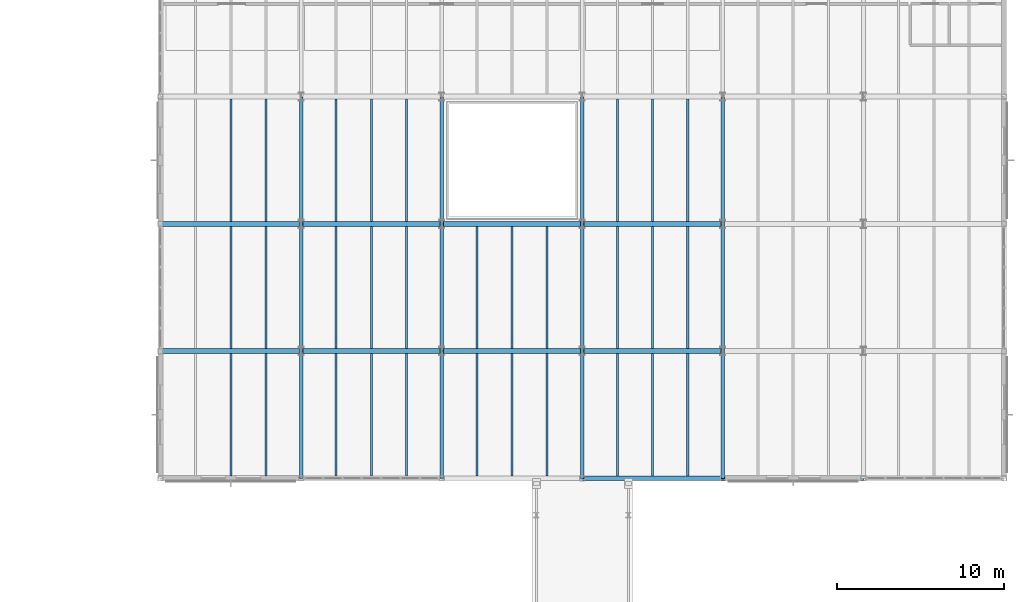
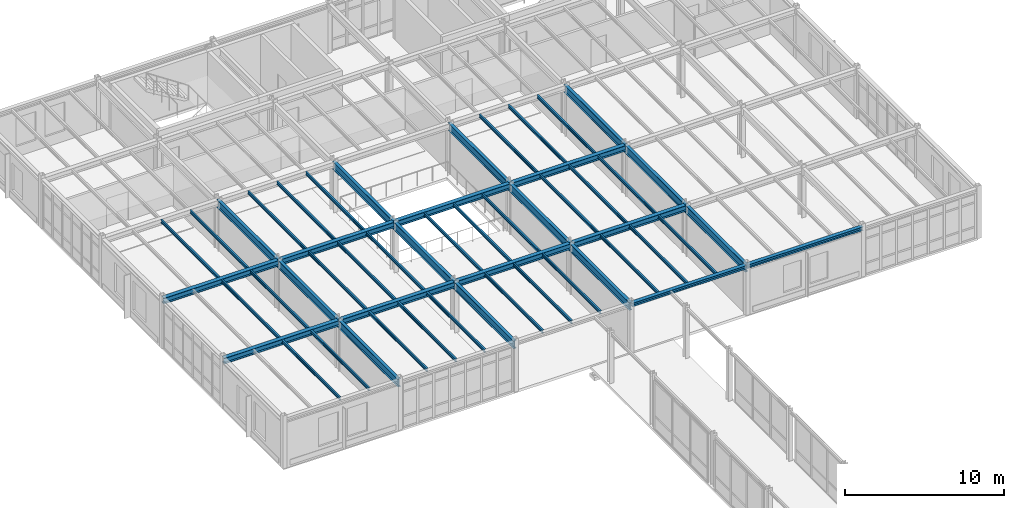
# One storey, part 87 of 165: 52 beams.
"""IFC4 building model written with IfcOpenShell, lengths in metres."""

from ifc_helpers import new_model, si_unit, direction, frame, origin, origin_2d, place, context, subcontext, project, spatial, i_section, extrude, material, material_profile, profile_set, type_object, element, save


model = new_model("IFC4")

# Units and contexts
model_context = context("Model", 3, precision=1e-05, world=origin(), true_north=direction((0.0, 1.0)))
body_context = subcontext(model_context, "Body", "Model", "MODEL_VIEW")
ifc_project = project(units=[si_unit("LENGTHUNIT", "METRE"), si_unit("AREAUNIT", "SQUARE_METRE"), si_unit("VOLUMEUNIT", "CUBIC_METRE"), si_unit("PLANEANGLEUNIT", "RADIAN"), si_unit("MASSUNIT", "GRAM", prefix="KILO")], contexts=[model_context])

# Site, building, storey
site_placement = place(None, origin())
site = spatial("IfcSite", under=ifc_project, at=site_placement, CompositionType="ELEMENT")
building_placement = place(site_placement, origin())
building = spatial("IfcBuilding", under=site, at=building_placement, Name="Montecoro Central Library", CompositionType="ELEMENT")
storey_placement = place(building_placement, frame((0.0, 0.0, 5.10009765625)))
storey = spatial("IfcBuildingStorey", under=building, at=storey_placement, Name="L01", CompositionType="ELEMENT", Elevation=5.10009765625)

# Beams
ifc_material_1 = material(Name="Steel S355J2", Category="steel")
ifc_material_profile_1 = material_profile(ifc_material_1, i_section(OverallWidth=0.300048828125, OverallDepth=0.43994140625, WebThickness=0.011474609375, FlangeThickness=0.02099609375, at=origin_2d()), Name="HEA 450")
ifc_profile_set_1 = profile_set([ifc_material_profile_1], Name="Steel S355J2")
beam_type_1 = type_object("IfcBeamType", Name="BM-G-HEA450", PredefinedType="USERDEFINED", material=ifc_profile_set_1)
beam_1_placement = place(storey_placement, frame((66.405029296875, 88.60009765625, 3.60498046875), z_axis=(1.0, 0.0, 0.0), x_axis=(0.0, 1.0, 0.0)))
element("IfcBeam", 1, at=beam_1_placement, inside=storey, type_object=beam_type_1, Name="V2-L01-BX-910-M", ObjectType="GIRDER", PredefinedType="USERDEFINED", context=body_context, shape_type="SweptSolid", body=[
    extrude(i_section(OverallWidth=0.300048828125, OverallDepth=0.43994140625, WebThickness=0.011474609375, FlangeThickness=0.02099609375, at=origin_2d()), origin(), (0.0, 0.0, 1.0), 8.389892578125),
])
beam_2_placement = place(storey_placement, frame((74.804931640625, 88.60009765625, 3.60498046875), z_axis=(1.0, 0.0, 0.0), x_axis=(0.0, 1.0, 0.0)))
element("IfcBeam", 2, at=beam_2_placement, inside=storey, type_object=beam_type_1, Name="V2-L01-BX-1011-M", ObjectType="GIRDER", PredefinedType="USERDEFINED", context=body_context, shape_type="SweptSolid", body=[
    extrude(i_section(OverallWidth=0.300048828125, OverallDepth=0.43994140625, WebThickness=0.011474609375, FlangeThickness=0.02099609375, at=origin_2d()), origin(), (0.0, 0.0, 1.0), 8.39013671875),
])
beam_3_placement = place(storey_placement, frame((83.205078125, 88.60009765625, 3.60498046875), z_axis=(1.0, 0.0, 0.0), x_axis=(0.0, 1.0, 0.0)))
element("IfcBeam", 3, at=beam_3_placement, inside=storey, type_object=beam_type_1, Name="V2-L01-BX-1112-M", ObjectType="GIRDER", PredefinedType="USERDEFINED", context=body_context, shape_type="SweptSolid", body=[
    extrude(i_section(OverallWidth=0.300048828125, OverallDepth=0.43994140625, WebThickness=0.011474609375, FlangeThickness=0.02099609375, at=origin_2d()), origin(), (0.0, 0.0, 1.0), 8.389892578125),
])
beam_4_placement = place(storey_placement, frame((91.60498046875, 88.60009765625, 3.60498046875), z_axis=(1.0, 0.0, 0.0), x_axis=(0.0, 1.0, 0.0)))
element("IfcBeam", 4, at=beam_4_placement, inside=storey, type_object=beam_type_1, Name="V2-L01-BX-1213-M", ObjectType="GIRDER", PredefinedType="USERDEFINED", context=body_context, shape_type="SweptSolid", body=[
    extrude(i_section(OverallWidth=0.300048828125, OverallDepth=0.43994140625, WebThickness=0.011474609375, FlangeThickness=0.02099609375, at=origin_2d()), origin(), (0.0, 0.0, 1.0), 8.39013671875),
])
beam_5_placement = place(storey_placement, frame((66.405029296875, 96.199951171875, 3.60498046875), z_axis=(1.0, 0.0, 0.0), x_axis=(0.0, 1.0, 0.0)))
element("IfcBeam", 5, at=beam_5_placement, inside=storey, type_object=beam_type_1, Name="V2-L01-BX-910-N", ObjectType="GIRDER", PredefinedType="USERDEFINED", context=body_context, shape_type="SweptSolid", body=[
    extrude(i_section(OverallWidth=0.300048828125, OverallDepth=0.43994140625, WebThickness=0.011474609375, FlangeThickness=0.02099609375, at=origin_2d()), origin(), (0.0, 0.0, 1.0), 8.389892578125),
])
beam_6_placement = place(storey_placement, frame((74.804931640625, 96.199951171875, 3.60498046875), z_axis=(1.0, 0.0, 0.0), x_axis=(0.0, 1.0, 0.0)))
element("IfcBeam", 6, at=beam_6_placement, inside=storey, type_object=beam_type_1, Name="V2-L01-BX-1011-N", ObjectType="GIRDER", PredefinedType="USERDEFINED", context=body_context, shape_type="SweptSolid", body=[
    extrude(i_section(OverallWidth=0.300048828125, OverallDepth=0.43994140625, WebThickness=0.011474609375, FlangeThickness=0.02099609375, at=origin_2d()), origin(), (0.0, 0.0, 1.0), 8.39013671875),
])
beam_7_placement = place(storey_placement, frame((83.205078125, 96.199951171875, 3.60498046875), z_axis=(1.0, 0.0, 0.0), x_axis=(0.0, 1.0, 0.0)))
element("IfcBeam", 7, at=beam_7_placement, inside=storey, type_object=beam_type_1, Name="V2-L01-BX-1112-N", ObjectType="GIRDER", PredefinedType="USERDEFINED", context=body_context, shape_type="SweptSolid", body=[
    extrude(i_section(OverallWidth=0.300048828125, OverallDepth=0.43994140625, WebThickness=0.011474609375, FlangeThickness=0.02099609375, at=origin_2d()), origin(), (0.0, 0.0, 1.0), 8.389892578125),
])
beam_8_placement = place(storey_placement, frame((91.60498046875, 96.199951171875, 3.60498046875), z_axis=(1.0, 0.0, 0.0), x_axis=(0.0, 1.0, 0.0)))
element("IfcBeam", 8, at=beam_8_placement, inside=storey, type_object=beam_type_1, Name="V2-L01-BX-1213-N", ObjectType="GIRDER", PredefinedType="USERDEFINED", context=body_context, shape_type="SweptSolid", body=[
    extrude(i_section(OverallWidth=0.300048828125, OverallDepth=0.43994140625, WebThickness=0.011474609375, FlangeThickness=0.02099609375, at=origin_2d()), origin(), (0.0, 0.0, 1.0), 8.39013671875),
])
ifc_material_profile_2 = material_profile(ifc_material_1, i_section(OverallWidth=0.219970703125, OverallDepth=0.60009765625, WebThickness=0.011962890625, FlangeThickness=0.01904296875, at=origin_2d()), Name="IPE 600")
ifc_profile_set_2 = profile_set([ifc_material_profile_2], Name="Steel S355J2")
beam_type_2 = type_object("IfcBeamType", Name="BM-G-IPE600", PredefinedType="USERDEFINED", material=ifc_profile_set_2)
for number, where, z_axis, x_axis, name in (
    (9, (74.800048828125, 81.0048828125, 3.52490234375), (0.0, 1.0, 0.0), (-1.0, 0.0, 0.0), "V2-L01-BY-10-LM"),
    (10, (74.800048828125, 88.60498046875, 3.52490234375), (0.0, 1.0, 0.0), (-1.0, 0.0, 0.0), "V2-L01-BY-10-MN"),
):
    element("IfcBeam", number, at=place(storey_placement, frame(where, z_axis=z_axis, x_axis=x_axis)), inside=storey, type_object=beam_type_2, Name=name, ObjectType="GIRDER", PredefinedType="USERDEFINED", context=body_context, shape_type="SweptSolid", body=[
        extrude(i_section(OverallWidth=0.219970703125, OverallDepth=0.60009765625, WebThickness=0.011962890625, FlangeThickness=0.01904296875, at=origin_2d()), origin(), (0.0, 0.0, 1.0), 7.590087890625),
    ])
beam_9_placement = place(storey_placement, frame((74.800048828125, 96.205078125, 3.52490234375), z_axis=(0.0, 1.0, 0.0), x_axis=(-1.0, 0.0, 0.0)))
element("IfcBeam", 11, at=beam_9_placement, inside=storey, type_object=beam_type_2, Name="V2-L01-BY-10-NP", ObjectType="GIRDER", PredefinedType="USERDEFINED", context=body_context, shape_type="SweptSolid", body=[
    extrude(i_section(OverallWidth=0.219970703125, OverallDepth=0.60009765625, WebThickness=0.011962890625, FlangeThickness=0.01904296875, at=origin_2d()), origin(), (0.0, 0.0, 1.0), 7.58984375),
])
for number, where, z_axis, x_axis, name in (
    (12, (83.199951171875, 81.0048828125, 3.52490234375), (0.0, 1.0, 0.0), (-1.0, 0.0, 0.0), "V2-L01-BY-11-LM"),
    (13, (83.199951171875, 88.60498046875, 3.52490234375), (0.0, 1.0, 0.0), (-1.0, 0.0, 0.0), "V2-L01-BY-11-MN"),
):
    element("IfcBeam", number, at=place(storey_placement, frame(where, z_axis=z_axis, x_axis=x_axis)), inside=storey, type_object=beam_type_2, Name=name, ObjectType="GIRDER", PredefinedType="USERDEFINED", context=body_context, shape_type="SweptSolid", body=[
        extrude(i_section(OverallWidth=0.219970703125, OverallDepth=0.60009765625, WebThickness=0.011962890625, FlangeThickness=0.01904296875, at=origin_2d()), origin(), (0.0, 0.0, 1.0), 7.590087890625),
    ])
beam_10_placement = place(storey_placement, frame((83.199951171875, 96.205078125, 3.52490234375), z_axis=(0.0, 1.0, 0.0), x_axis=(-1.0, 0.0, 0.0)))
element("IfcBeam", 14, at=beam_10_placement, inside=storey, type_object=beam_type_2, Name="V2-L01-BY-11-NP", ObjectType="GIRDER", PredefinedType="USERDEFINED", context=body_context, shape_type="SweptSolid", body=[
    extrude(i_section(OverallWidth=0.219970703125, OverallDepth=0.60009765625, WebThickness=0.011962890625, FlangeThickness=0.01904296875, at=origin_2d()), origin(), (0.0, 0.0, 1.0), 7.58984375),
])
for number, where, z_axis, x_axis, name in (
    (15, (91.60009765625, 81.0048828125, 3.52490234375), (0.0, 1.0, 0.0), (-1.0, 0.0, 0.0), "V2-L01-BY-12-LM"),
    (16, (91.60009765625, 88.60498046875, 3.52490234375), (0.0, 1.0, 0.0), (-1.0, 0.0, 0.0), "V2-L01-BY-12-MN"),
):
    element("IfcBeam", number, at=place(storey_placement, frame(where, z_axis=z_axis, x_axis=x_axis)), inside=storey, type_object=beam_type_2, Name=name, ObjectType="GIRDER", PredefinedType="USERDEFINED", context=body_context, shape_type="SweptSolid", body=[
        extrude(i_section(OverallWidth=0.219970703125, OverallDepth=0.60009765625, WebThickness=0.011962890625, FlangeThickness=0.01904296875, at=origin_2d()), origin(), (0.0, 0.0, 1.0), 7.590087890625),
    ])
beam_11_placement = place(storey_placement, frame((91.60009765625, 96.205078125, 3.52490234375), z_axis=(0.0, 1.0, 0.0), x_axis=(-1.0, 0.0, 0.0)))
element("IfcBeam", 17, at=beam_11_placement, inside=storey, type_object=beam_type_2, Name="V2-L01-BY-12-NP", ObjectType="GIRDER", PredefinedType="USERDEFINED", context=body_context, shape_type="SweptSolid", body=[
    extrude(i_section(OverallWidth=0.219970703125, OverallDepth=0.60009765625, WebThickness=0.011962890625, FlangeThickness=0.01904296875, at=origin_2d()), origin(), (0.0, 0.0, 1.0), 7.58984375),
])
for number, where, z_axis, x_axis, name in (
    (18, (100.0, 81.0048828125, 3.52490234375), (0.0, 1.0, 0.0), (-1.0, 0.0, 0.0), "V2-L01-BY-13-LM"),
    (19, (100.0, 88.60498046875, 3.52490234375), (0.0, 1.0, 0.0), (-1.0, 0.0, 0.0), "V2-L01-BY-13-MN"),
):
    element("IfcBeam", number, at=place(storey_placement, frame(where, z_axis=z_axis, x_axis=x_axis)), inside=storey, type_object=beam_type_2, Name=name, ObjectType="GIRDER", PredefinedType="USERDEFINED", context=body_context, shape_type="SweptSolid", body=[
        extrude(i_section(OverallWidth=0.219970703125, OverallDepth=0.60009765625, WebThickness=0.011962890625, FlangeThickness=0.01904296875, at=origin_2d()), origin(), (0.0, 0.0, 1.0), 7.590087890625),
    ])
beam_12_placement = place(storey_placement, frame((100.0, 96.205078125, 3.52490234375), z_axis=(0.0, 1.0, 0.0), x_axis=(-1.0, 0.0, 0.0)))
element("IfcBeam", 20, at=beam_12_placement, inside=storey, type_object=beam_type_2, Name="V2-L01-BY-13-NP", ObjectType="GIRDER", PredefinedType="USERDEFINED", context=body_context, shape_type="SweptSolid", body=[
    extrude(i_section(OverallWidth=0.219970703125, OverallDepth=0.60009765625, WebThickness=0.011962890625, FlangeThickness=0.01904296875, at=origin_2d()), origin(), (0.0, 0.0, 1.0), 7.58984375),
])
ifc_material_2 = material(Name="Steel S355", Category="steel")
ifc_material_profile_3 = material_profile(ifc_material_2, i_section(OverallWidth=0.1201171875, OverallDepth=0.239990234375, WebThickness=0.006103515625, FlangeThickness=0.009765625, at=origin_2d()), Name="IPE 240")
ifc_profile_set_3 = profile_set([ifc_material_profile_3], Name="Steel S355")
beam_type_3 = type_object("IfcBeamType", Name="BM-J-IPE240", PredefinedType="JOIST", material=ifc_profile_set_3)
for number, where, z_axis, x_axis, name in (
    (21, (70.60009765625, 81.136962890625, 3.704833984375), (0.0, 1.0, 0.0), (-1.0, 0.0, 0.0), "V2-L01-JS-910-LM-2"),
    (22, (72.699951171875, 81.136962890625, 3.704833984375), (0.0, 1.0, 0.0), (-1.0, 0.0, 0.0), "V2-L01-JS-910-LM-3"),
):
    element("IfcBeam", number, at=place(storey_placement, frame(where, z_axis=z_axis, x_axis=x_axis)), inside=storey, type_object=beam_type_3, Name=name, PredefinedType="JOIST", context=body_context, shape_type="SweptSolid", body=[
        extrude(i_section(OverallWidth=0.1201171875, OverallDepth=0.239990234375, WebThickness=0.006103515625, FlangeThickness=0.009765625, at=origin_2d()), origin(), (0.0, 0.0, 1.0), 7.31591796875),
    ])
for number, where, z_axis, x_axis, name in (
    (23, (70.60009765625, 88.7470703125, 3.704833984375), (0.0, 1.0, 0.0), (-1.0, 0.0, 0.0), "V2-L01-JS-910-MN-2"),
    (24, (72.699951171875, 88.7470703125, 3.704833984375), (0.0, 1.0, 0.0), (-1.0, 0.0, 0.0), "V2-L01-JS-910-MN-3"),
):
    element("IfcBeam", number, at=place(storey_placement, frame(where, z_axis=z_axis, x_axis=x_axis)), inside=storey, type_object=beam_type_3, Name=name, PredefinedType="JOIST", context=body_context, shape_type="SweptSolid", body=[
        extrude(i_section(OverallWidth=0.1201171875, OverallDepth=0.239990234375, WebThickness=0.006103515625, FlangeThickness=0.009765625, at=origin_2d()), origin(), (0.0, 0.0, 1.0), 7.305908203125),
    ])
for number, where, z_axis, x_axis, name in (
    (25, (70.60009765625, 96.346923828125, 3.704833984375), (0.0, 1.0, 0.0), (-1.0, 0.0, 0.0), "V2-L01-JS-910-NP-2"),
    (26, (72.699951171875, 96.346923828125, 3.704833984375), (0.0, 1.0, 0.0), (-1.0, 0.0, 0.0), "V2-L01-JS-910-NP-3"),
):
    element("IfcBeam", number, at=place(storey_placement, frame(where, z_axis=z_axis, x_axis=x_axis)), inside=storey, type_object=beam_type_3, Name=name, PredefinedType="JOIST", context=body_context, shape_type="SweptSolid", body=[
        extrude(i_section(OverallWidth=0.1201171875, OverallDepth=0.239990234375, WebThickness=0.006103515625, FlangeThickness=0.009765625, at=origin_2d()), origin(), (0.0, 0.0, 1.0), 7.30615234375),
    ])
for number, where, z_axis, x_axis, name in (
    (27, (76.89990234375, 81.136962890625, 3.704833984375), (0.0, 1.0, 0.0), (-1.0, 0.0, 0.0), "V2-L01-JS-1011-LM-1"),
    (28, (79.0, 81.136962890625, 3.704833984375), (0.0, 1.0, 0.0), (-1.0, 0.0, 0.0), "V2-L01-JS-1011-LM-2"),
    (29, (81.10009765625, 81.136962890625, 3.704833984375), (0.0, 1.0, 0.0), (-1.0, 0.0, 0.0), "V2-L01-JS-1011-LM-3"),
):
    element("IfcBeam", number, at=place(storey_placement, frame(where, z_axis=z_axis, x_axis=x_axis)), inside=storey, type_object=beam_type_3, Name=name, PredefinedType="JOIST", context=body_context, shape_type="SweptSolid", body=[
        extrude(i_section(OverallWidth=0.1201171875, OverallDepth=0.239990234375, WebThickness=0.006103515625, FlangeThickness=0.009765625, at=origin_2d()), origin(), (0.0, 0.0, 1.0), 7.31591796875),
    ])
for number, where, z_axis, x_axis, name in (
    (30, (76.89990234375, 88.7470703125, 3.704833984375), (0.0, 1.0, 0.0), (-1.0, 0.0, 0.0), "V2-L01-JS-1011-MN-1"),
    (31, (79.0, 88.7470703125, 3.704833984375), (0.0, 1.0, 0.0), (-1.0, 0.0, 0.0), "V2-L01-JS-1011-MN-2"),
    (32, (81.10009765625, 88.7470703125, 3.704833984375), (0.0, 1.0, 0.0), (-1.0, 0.0, 0.0), "V2-L01-JS-1011-MN-3"),
):
    element("IfcBeam", number, at=place(storey_placement, frame(where, z_axis=z_axis, x_axis=x_axis)), inside=storey, type_object=beam_type_3, Name=name, PredefinedType="JOIST", context=body_context, shape_type="SweptSolid", body=[
        extrude(i_section(OverallWidth=0.1201171875, OverallDepth=0.239990234375, WebThickness=0.006103515625, FlangeThickness=0.009765625, at=origin_2d()), origin(), (0.0, 0.0, 1.0), 7.305908203125),
    ])
for number, where, z_axis, x_axis, name in (
    (33, (76.89990234375, 96.346923828125, 3.704833984375), (0.0, 1.0, 0.0), (-1.0, 0.0, 0.0), "V2-L01-JS-1011-NP-1"),
    (34, (79.0, 96.346923828125, 3.704833984375), (0.0, 1.0, 0.0), (-1.0, 0.0, 0.0), "V2-L01-JS-1011-NP-2"),
    (35, (81.10009765625, 96.346923828125, 3.704833984375), (0.0, 1.0, 0.0), (-1.0, 0.0, 0.0), "V2-L01-JS-1011-NP-3"),
):
    element("IfcBeam", number, at=place(storey_placement, frame(where, z_axis=z_axis, x_axis=x_axis)), inside=storey, type_object=beam_type_3, Name=name, PredefinedType="JOIST", context=body_context, shape_type="SweptSolid", body=[
        extrude(i_section(OverallWidth=0.1201171875, OverallDepth=0.239990234375, WebThickness=0.006103515625, FlangeThickness=0.009765625, at=origin_2d()), origin(), (0.0, 0.0, 1.0), 7.30615234375),
    ])
for number, where, z_axis, x_axis, name in (
    (36, (85.300048828125, 81.136962890625, 3.704833984375), (0.0, 1.0, 0.0), (-1.0, 0.0, 0.0), "V2-L01-JS-1112-LM-1"),
    (37, (87.39990234375, 81.136962890625, 3.704833984375), (0.0, 1.0, 0.0), (-1.0, 0.0, 0.0), "V2-L01-JS-1112-LM-2"),
    (38, (89.5, 81.136962890625, 3.704833984375), (0.0, 1.0, 0.0), (-1.0, 0.0, 0.0), "V2-L01-JS-1112-LM-3"),
):
    element("IfcBeam", number, at=place(storey_placement, frame(where, z_axis=z_axis, x_axis=x_axis)), inside=storey, type_object=beam_type_3, Name=name, PredefinedType="JOIST", context=body_context, shape_type="SweptSolid", body=[
        extrude(i_section(OverallWidth=0.1201171875, OverallDepth=0.239990234375, WebThickness=0.006103515625, FlangeThickness=0.009765625, at=origin_2d()), origin(), (0.0, 0.0, 1.0), 7.31591796875),
    ])
for number, where, z_axis, x_axis, name in (
    (39, (85.300048828125, 88.7470703125, 3.704833984375), (0.0, 1.0, 0.0), (-1.0, 0.0, 0.0), "V2-L01-JS-1112-MN-1"),
    (40, (87.39990234375, 88.7470703125, 3.704833984375), (0.0, 1.0, 0.0), (-1.0, 0.0, 0.0), "V2-L01-JS-1112-MN-2"),
    (41, (89.5, 88.7470703125, 3.704833984375), (0.0, 1.0, 0.0), (-1.0, 0.0, 0.0), "V2-L01-JS-1112-MN-3"),
):
    element("IfcBeam", number, at=place(storey_placement, frame(where, z_axis=z_axis, x_axis=x_axis)), inside=storey, type_object=beam_type_3, Name=name, PredefinedType="JOIST", context=body_context, shape_type="SweptSolid", body=[
        extrude(i_section(OverallWidth=0.1201171875, OverallDepth=0.239990234375, WebThickness=0.006103515625, FlangeThickness=0.009765625, at=origin_2d()), origin(), (0.0, 0.0, 1.0), 7.305908203125),
    ])
for number, where, z_axis, x_axis, name in (
    (42, (93.699951171875, 81.136962890625, 3.704833984375), (0.0, 1.0, 0.0), (-1.0, 0.0, 0.0), "V2-L01-JS-1213-LM-1"),
    (43, (95.800048828125, 81.136962890625, 3.704833984375), (0.0, 1.0, 0.0), (-1.0, 0.0, 0.0), "V2-L01-JS-1213-LM-2"),
    (44, (97.89990234375, 81.136962890625, 3.704833984375), (0.0, 1.0, 0.0), (-1.0, 0.0, 0.0), "V2-L01-JS-1213-LM-3"),
):
    element("IfcBeam", number, at=place(storey_placement, frame(where, z_axis=z_axis, x_axis=x_axis)), inside=storey, type_object=beam_type_3, Name=name, PredefinedType="JOIST", context=body_context, shape_type="SweptSolid", body=[
        extrude(i_section(OverallWidth=0.1201171875, OverallDepth=0.239990234375, WebThickness=0.006103515625, FlangeThickness=0.009765625, at=origin_2d()), origin(), (0.0, 0.0, 1.0), 7.31591796875),
    ])
for number, where, z_axis, x_axis, name in (
    (45, (93.699951171875, 88.7470703125, 3.704833984375), (0.0, 1.0, 0.0), (-1.0, 0.0, 0.0), "V2-L01-JS-1213-MN-1"),
    (46, (95.800048828125, 88.7470703125, 3.704833984375), (0.0, 1.0, 0.0), (-1.0, 0.0, 0.0), "V2-L01-JS-1213-MN-2"),
    (47, (97.89990234375, 88.7470703125, 3.704833984375), (0.0, 1.0, 0.0), (-1.0, 0.0, 0.0), "V2-L01-JS-1213-MN-3"),
):
    element("IfcBeam", number, at=place(storey_placement, frame(where, z_axis=z_axis, x_axis=x_axis)), inside=storey, type_object=beam_type_3, Name=name, PredefinedType="JOIST", context=body_context, shape_type="SweptSolid", body=[
        extrude(i_section(OverallWidth=0.1201171875, OverallDepth=0.239990234375, WebThickness=0.006103515625, FlangeThickness=0.009765625, at=origin_2d()), origin(), (0.0, 0.0, 1.0), 7.305908203125),
    ])
for number, where, z_axis, x_axis, name in (
    (48, (93.699951171875, 96.346923828125, 3.704833984375), (0.0, 1.0, 0.0), (-1.0, 0.0, 0.0), "V2-L01-JS-1213-NP-1"),
    (49, (95.800048828125, 96.346923828125, 3.704833984375), (0.0, 1.0, 0.0), (-1.0, 0.0, 0.0), "V2-L01-JS-1213-NP-2"),
    (50, (97.89990234375, 96.346923828125, 3.704833984375), (0.0, 1.0, 0.0), (-1.0, 0.0, 0.0), "V2-L01-JS-1213-NP-3"),
):
    element("IfcBeam", number, at=place(storey_placement, frame(where, z_axis=z_axis, x_axis=x_axis)), inside=storey, type_object=beam_type_3, Name=name, PredefinedType="JOIST", context=body_context, shape_type="SweptSolid", body=[
        extrude(i_section(OverallWidth=0.1201171875, OverallDepth=0.239990234375, WebThickness=0.006103515625, FlangeThickness=0.009765625, at=origin_2d()), origin(), (0.0, 0.0, 1.0), 7.30615234375),
    ])
ifc_material_profile_4 = material_profile(ifc_material_2, i_section(OverallWidth=0.280029296875, OverallDepth=0.27001953125, WebThickness=0.008056640625, FlangeThickness=0.012939453125, at=origin_2d()), Name="HEA 280")
ifc_profile_set_4 = profile_set([ifc_material_profile_4], Name="Steel S355")
beam_type_4 = type_object("IfcBeamType", Name="BM-SP-HEA280", PredefinedType="SPANDREL", material=ifc_profile_set_4)
for number, where, z_axis, x_axis, name in (
    (51, (91.60498046875, 81.0, 3.68994140625), (1.0, 0.0, 0.0), (0.0, 1.0, 0.0), "V2-L01-BX-1213-L"),
    (52, (100.0048828125, 81.0, 3.68994140625), (1.0, 0.0, 0.0), (0.0, 1.0, 0.0), "V2-L01-BX-1314-L"),
):
    element("IfcBeam", number, at=place(storey_placement, frame(where, z_axis=z_axis, x_axis=x_axis)), inside=storey, type_object=beam_type_4, Name=name, PredefinedType="SPANDREL", context=body_context, shape_type="SweptSolid", body=[
        extrude(i_section(OverallWidth=0.280029296875, OverallDepth=0.27001953125, WebThickness=0.008056640625, FlangeThickness=0.012939453125, at=origin_2d()), origin(), (0.0, 0.0, 1.0), 8.39013671875),
    ])

save(model, "model.ifc")
